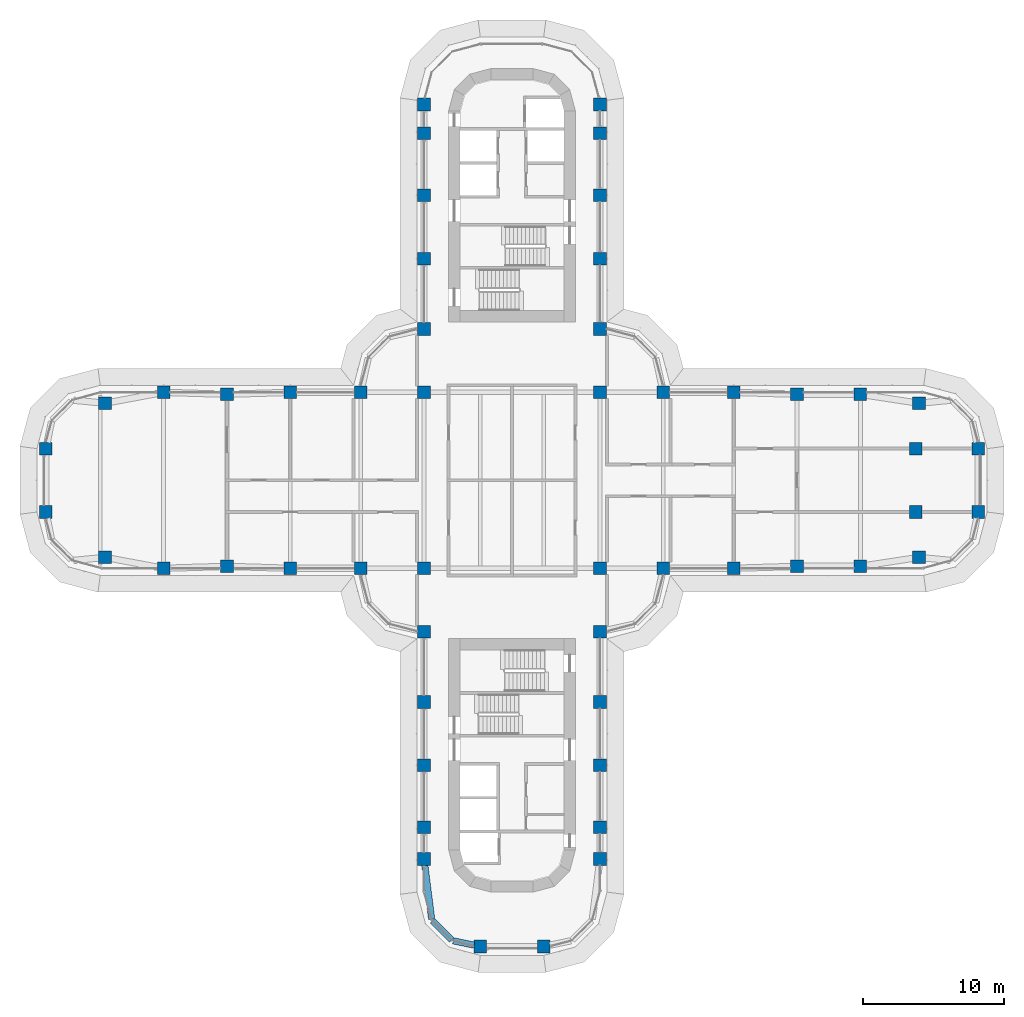
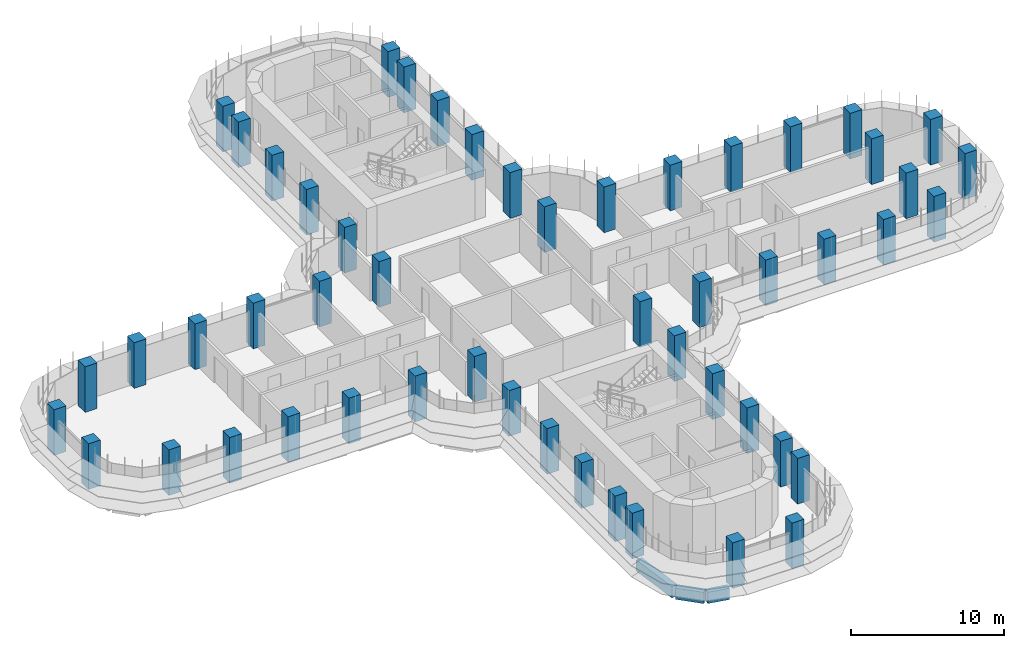
# One storey, part 1 of 22: 52 columns, 3 beams.
"""IFC4 building model written with IfcOpenShell, lengths in metres."""

from ifc_helpers import new_model, si_unit, direction, frame, origin, origin_2d, place, context, subcontext, project, spatial, rectangle, extrude, material, material_profile, profile_set, type_object, element, save


model = new_model("IFC4")

# Units and contexts
model_context = context("Model", 3, precision=1e-05, world=origin(), true_north=direction((0.0, 1.0)))
body_context = subcontext(model_context, "Body", "Model", "MODEL_VIEW")
ifc_project = project(units=[si_unit("LENGTHUNIT", "METRE"), si_unit("AREAUNIT", "SQUARE_METRE"), si_unit("VOLUMEUNIT", "CUBIC_METRE"), si_unit("PLANEANGLEUNIT", "RADIAN"), si_unit("MASSUNIT", "GRAM", prefix="KILO")], contexts=[model_context])

# Site, building, storey
site_placement = place(None, origin())
site = spatial("IfcSite", under=ifc_project, at=site_placement, CompositionType="ELEMENT")
building_placement = place(site_placement, origin())
building = spatial("IfcBuilding", under=site, at=building_placement, Name="Zarbagh Exchange Tower", CompositionType="ELEMENT")
storey_placement = place(building_placement, frame((0.0, 0.0, 113.199951171875)))
storey = spatial("IfcBuildingStorey", under=building, at=storey_placement, Name="L26", CompositionType="ELEMENT", Elevation=113.199951171875)

# Columns
ifc_material = material(Name="Concrete C60/75", Category="concrete")
ifc_material_profile_1 = material_profile(ifc_material, rectangle(XDim=0.89990234375, YDim=0.89990234375, at=origin_2d()), Name="RC column 900 x 900 C60/75")
ifc_profile_set_1 = profile_set([ifc_material_profile_1], Name="Concrete C60/75")
column_type = type_object("IfcColumnType", Name="RC column 900 x 900 C60/75", PredefinedType="COLUMN", material=ifc_profile_set_1)
for number, where, z_axis, x_axis, name in (
    (1, (-33.110107421875, -2.25, 0.0), (0.0, 0.0, 1.0), (1.0, 0.0, 0.0), "C3 10/S"),
    (2, (-33.110107421875, 2.25, 0.0), (0.0, 0.0, 1.0), (1.0, 0.0, 0.0), "C3 10/T"),
    (3, (-28.907958984375, -5.47509765625, 0.0), (0.0, 0.0, 1.0), (1.0, 0.0, 0.0), "C3 11/R"),
    (4, (-28.907958984375, 5.47509765625, 0.0), (0.0, 0.0, 1.0), (1.0, 0.0, 0.0), "C3 11/U"),
    (5, (-24.75, -6.25, 0.0), (0.0, 0.0, 1.0), (1.0, 0.0, 0.0), "C3 12/R"),
    (6, (-24.75, 6.25, 0.0), (0.0, 0.0, 1.0), (1.0, 0.0, 0.0), "C3 12/U"),
    (7, (-20.25, -6.110107421875, 0.0), (0.0, 0.0, 1.0), (1.0, 0.0, 0.0), "C3 13/R"),
    (8, (-20.25, 6.110107421875, 0.0), (0.0, 0.0, 1.0), (1.0, 0.0, 0.0), "C3 13/U"),
    (9, (-15.75, -6.25, 0.0), (0.0, 0.0, 1.0), (1.0, 0.0, 0.0), "C3 14/R"),
    (10, (-15.75, 6.25, 0.0), (0.0, 0.0, 1.0), (1.0, 0.0, 0.0), "C3 14/U"),
    (11, (-10.75, -6.25, 0.0), (0.0, 0.0, 1.0), (1.0, 0.0, 0.0), "C3 15/R"),
    (12, (-10.75, 6.25, 0.0), (0.0, 0.0, 1.0), (1.0, 0.0, 0.0), "C3 15/U"),
    (13, (-6.25, -26.89990234375, 0.0), (0.0, 0.0, 1.0), (1.0, 0.0, 0.0), "C3 16/L"),
    (14, (-6.25, -24.64990234375, 0.0), (0.0, 0.0, 1.0), (1.0, 0.0, 0.0), "C3 16/M"),
    (15, (-6.25, -20.25, 0.0), (0.0, 0.0, 1.0), (1.0, 0.0, 0.0), "C3 16/N"),
    (16, (-6.25, -15.75, 0.0), (0.0, 0.0, 1.0), (1.0, 0.0, 0.0), "C3 16/P"),
    (17, (-6.25, -10.75, 0.0), (0.0, 0.0, 1.0), (1.0, 0.0, 0.0), "C3 16/Q"),
    (18, (-6.25, -6.25, 0.0), (0.0, 0.0, 1.0), (1.0, 0.0, 0.0), "C3 16/R"),
    (19, (-6.25, 6.25, 0.0), (0.0, 0.0, 1.0), (1.0, 0.0, 0.0), "C3 16/U"),
    (20, (-6.25, 10.75, 0.0), (0.0, 0.0, 1.0), (1.0, 0.0, 0.0), "C3 16/V"),
    (21, (-6.25, 15.75, 0.0), (0.0, 0.0, 1.0), (1.0, 0.0, 0.0), "C3 16/W"),
    (22, (-6.25, 20.25, 0.0), (0.0, 0.0, 1.0), (1.0, 0.0, 0.0), "C3 16/X"),
    (23, (-6.25, 24.64990234375, 0.0), (0.0, 0.0, 1.0), (1.0, 0.0, 0.0), "C3 16/Y"),
    (24, (-6.25, 26.699951171875, 0.0), (0.0, 0.0, 1.0), (1.0, 0.0, 0.0), "C3 16/Z"),
    (25, (-2.25, -33.110107421875, 0.0), (0.0, 0.0, 1.0), (1.0, 0.0, 0.0), "C3 17/K"),
    (26, (2.25, -33.110107421875, 0.0), (0.0, 0.0, 1.0), (1.0, 0.0, 0.0), "C3 18/K"),
    (27, (6.25, -26.89990234375, 0.0), (0.0, 0.0, 1.0), (1.0, 0.0, 0.0), "C3 19/L"),
    (28, (6.25, -24.64990234375, 0.0), (0.0, 0.0, 1.0), (1.0, 0.0, 0.0), "C3 19/M"),
    (29, (6.25, -20.25, 0.0), (0.0, 0.0, 1.0), (1.0, 0.0, 0.0), "C3 19/N"),
    (30, (6.25, -15.75, 0.0), (0.0, 0.0, 1.0), (1.0, 0.0, 0.0), "C3 19/P"),
    (31, (6.25, -10.75, 0.0), (0.0, 0.0, 1.0), (1.0, 0.0, 0.0), "C3 19/Q"),
    (32, (6.25, -6.25, 0.0), (0.0, 0.0, 1.0), (1.0, 0.0, 0.0), "C3 19/R"),
    (33, (6.25, 6.25, 0.0), (0.0, 0.0, 1.0), (1.0, 0.0, 0.0), "C3 19/U"),
    (34, (6.25, 10.75, 0.0), (0.0, 0.0, 1.0), (1.0, 0.0, 0.0), "C3 19/V"),
    (35, (6.25, 15.75, 0.0), (0.0, 0.0, 1.0), (1.0, 0.0, 0.0), "C3 19/W"),
    (36, (6.25, 20.25, 0.0), (0.0, 0.0, 1.0), (1.0, 0.0, 0.0), "C3 19/X"),
    (37, (6.25, 24.64990234375, 0.0), (0.0, 0.0, 1.0), (1.0, 0.0, 0.0), "C3 19/Y"),
    (38, (6.25, 26.699951171875, 0.0), (0.0, 0.0, 1.0), (1.0, 0.0, 0.0), "C3 19/Z"),
    (39, (10.75, -6.25, 0.0), (0.0, 0.0, 1.0), (1.0, 0.0, 0.0), "C3 20/R"),
    (40, (10.75, 6.25, 0.0), (0.0, 0.0, 1.0), (1.0, 0.0, 0.0), "C3 20/U"),
    (41, (15.75, -6.25, 0.0), (0.0, 0.0, 1.0), (1.0, 0.0, 0.0), "C3 21/R"),
    (42, (15.75, 6.25, 0.0), (0.0, 0.0, 1.0), (1.0, 0.0, 0.0), "C3 21/U"),
    (43, (20.25, -6.110107421875, 0.0), (0.0, 0.0, 1.0), (1.0, 0.0, 0.0), "C3 22/R"),
    (44, (20.25, 6.110107421875, 0.0), (0.0, 0.0, 1.0), (1.0, 0.0, 0.0), "C3 22/U"),
    (45, (24.75, -6.110107421875, 0.0), (0.0, 0.0, 1.0), (1.0, 0.0, 0.0), "C3 23/R"),
    (46, (24.75, 6.110107421875, 0.0), (0.0, 0.0, 1.0), (1.0, 0.0, 0.0), "C3 23/U"),
    (47, (28.907958984375, -5.47509765625, 0.0), (0.0, 0.0, 1.0), (1.0, 0.0, 0.0), "C3 24/R"),
    (48, (28.669921875, -2.25, 0.0), (0.0, 0.0, 1.0), (1.0, 0.0, 0.0), "C3 24/S"),
    (49, (28.669921875, 2.25, 0.0), (0.0, 0.0, 1.0), (1.0, 0.0, 0.0), "C3 24/T"),
    (50, (28.907958984375, 5.47509765625, 0.0), (0.0, 0.0, 1.0), (1.0, 0.0, 0.0), "C3 24/U"),
    (51, (33.110107421875, -2.25, 0.0), (0.0, 0.0, 1.0), (1.0, 0.0, 0.0), "C3 25/S"),
    (52, (33.110107421875, 2.25, 0.0), (0.0, 0.0, 1.0), (1.0, 0.0, 0.0), "C3 25/T"),
):
    element("IfcColumn", number, at=place(storey_placement, frame(where, z_axis=z_axis, x_axis=x_axis)), inside=storey, type_object=column_type, Name=name, PredefinedType="COLUMN", context=body_context, shape_type="SweptSolid", body=[
        extrude(rectangle(XDim=0.89990234375, YDim=0.89990234375, at=origin_2d()), origin(), (0.0, 0.0, 1.0), 3.650146484375),
    ])

# Beams
ifc_material_profile_2 = material_profile(ifc_material, rectangle(XDim=0.449951171875, YDim=0.89990234375, at=origin_2d()), Name="RC spandrel beam 450 x 900 C60/75")
ifc_profile_set_2 = profile_set([ifc_material_profile_2], Name="Concrete C60/75")
beam_type = type_object("IfcBeamType", Name="RC spandrel beam 450 x 900 C60/75", PredefinedType="SPANDREL", material=ifc_profile_set_2)
beam_1_placement = place(storey_placement, frame((-2.690673828125, -33.01904296875, -0.599853515625), z_axis=(-0.979328675816, 0.202275417995, 0.0), x_axis=(-0.202275417995, -0.979328675816, 0.0)))
element("IfcBeam", 53, at=beam_1_placement, inside=storey, type_object=beam_type, Name="RC spandrel beam", PredefinedType="SPANDREL", context=body_context, shape_type="SweptSolid", body=[
    extrude(rectangle(XDim=0.449951171875, YDim=0.89990234375, at=origin_2d()), origin(), (0.0, 0.0, 1.0), 1.515869140625),
])
beam_2_placement = place(storey_placement, frame((-4.288818359375, -32.651123046875, -0.599853515625), z_axis=(-0.707106781187, 0.707106781187, 0.0), x_axis=(-0.707106781187, -0.707106781187, 0.0)))
element("IfcBeam", 54, at=beam_2_placement, inside=storey, type_object=beam_type, Name="RC spandrel beam", PredefinedType="SPANDREL", context=body_context, shape_type="SweptSolid", body=[
    extrude(rectangle(XDim=0.449951171875, YDim=0.89990234375, at=origin_2d()), origin(), (0.0, 0.0, 1.0), 1.9169921875),
])
beam_3_placement = place(storey_placement, frame((-5.70849609375, -31.164794921875, -0.599853515625), z_axis=(-0.12597055537, 0.992033980859, 0.0), x_axis=(-0.992033980859, -0.12597055537, 0.0)))
element("IfcBeam", 55, at=beam_3_placement, inside=storey, type_object=beam_type, Name="RC spandrel beam", PredefinedType="SPANDREL", context=body_context, shape_type="SweptSolid", body=[
    extrude(rectangle(XDim=0.449951171875, YDim=0.89990234375, at=origin_2d()), origin(), (0.0, 0.0, 1.0), 3.84912109375),
])

save(model, "model.ifc")
